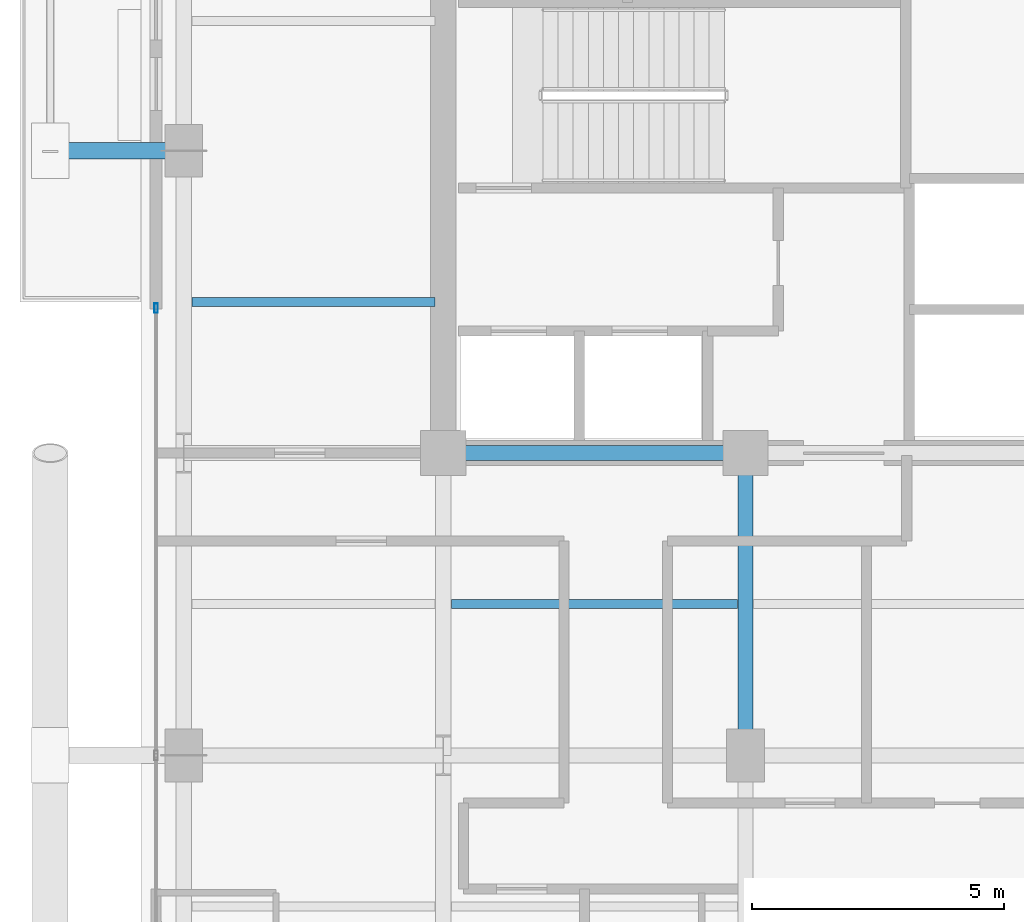
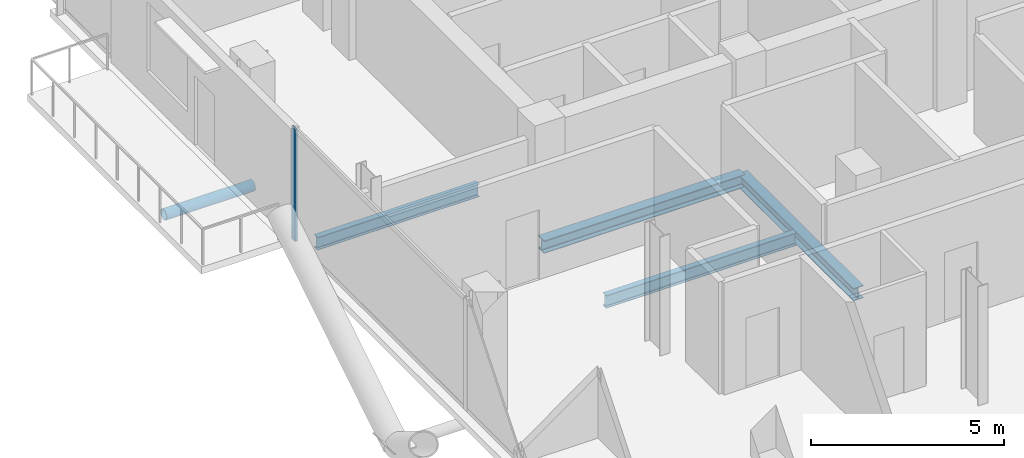
# One storey, part 7 of 28: 4 beams, 2 members, 1 element without a shape of its own.
"""IFC4 building model written with IfcOpenShell, lengths in metres."""

from ifc_helpers import new_model, si_unit, direction, frame, origin, origin_2d, place, context, subcontext, project, spatial, hollow_rectangle, hollow_circle, i_section, extrude, material, layer, layer_set, material_profile, profile_set, type_object, element, aggregate, save


model = new_model("IFC4")

# Units and contexts
model_context = context("Model", 3, precision=1e-05, world=origin(), true_north=direction((0.0, 1.0)))
body_context = subcontext(model_context, "Body", "Model", "MODEL_VIEW")
ifc_project = project(units=[si_unit("LENGTHUNIT", "METRE"), si_unit("AREAUNIT", "SQUARE_METRE"), si_unit("VOLUMEUNIT", "CUBIC_METRE"), si_unit("PLANEANGLEUNIT", "RADIAN"), si_unit("MASSUNIT", "GRAM", prefix="KILO"), si_unit("THERMODYNAMICTEMPERATUREUNIT", "KELVIN"), si_unit("POWERUNIT", "WATT")], contexts=[model_context])

# Site, building, storey
site_placement = place(None, origin())
site = spatial("IfcSite", under=ifc_project, at=site_placement, CompositionType="ELEMENT")
building_placement = place(site_placement, origin())
building = spatial("IfcBuilding", under=site, at=building_placement, Name="Svarakhadi Broadcast Tower", CompositionType="ELEMENT")
storey_placement = place(building_placement, frame((0.0, 0.0, 169.199951171875)))
storey = spatial("IfcBuildingStorey", under=building, at=storey_placement, Name="L41", CompositionType="ELEMENT", Elevation=169.199951171875)

# Beams
ifc_material_1 = material(Name="Steel S355J2 (IS 2062 E350C)", Category="steel")
ifc_material_profile_1 = material_profile(ifc_material_1, i_section(OverallWidth=0.179931640625, OverallDepth=0.39990234375, WebThickness=0.008544921875, FlangeThickness=0.013427734375, FilletRadius=0.02099609375, at=origin_2d()), Name="NPB 400x180x66")
ifc_profile_set_1 = profile_set([ifc_material_profile_1], Name="Steel S355J2 (IS 2062 E350C)")
beam_type_1 = type_object("IfcBeamType", Name="Beam_NPB400", PredefinedType="BEAM", material=ifc_profile_set_1)
beam_1_placement = place(storey_placement, frame((1.010009765625, 21.0, -0.409912109375), z_axis=(1.0, 0.0, 0.0), x_axis=(0.0, 1.0, 0.0)))
element("IfcBeam", 1, at=beam_1_placement, inside=storey, type_object=beam_type_1, Name="L41 Secondary Composite Beam SB003", PredefinedType="BEAM", context=body_context, shape_type="SweptSolid", body=[
    extrude(i_section(OverallWidth=0.179931640625, OverallDepth=0.39990234375, WebThickness=0.008544921875, FlangeThickness=0.013427734375, FilletRadius=0.02099609375, at=origin_2d()), origin(), (0.0, 0.0, 1.0), 4.830078125),
])
beam_2_placement = place(storey_placement, frame((6.159912109375, 15.0, -0.409912109375), z_axis=(1.0, 0.0, 0.0), x_axis=(0.0, 1.0, 0.0)))
element("IfcBeam", 2, at=beam_2_placement, inside=storey, type_object=beam_type_1, Name="L41 Secondary Composite Beam SB008", PredefinedType="BEAM", context=body_context, shape_type="SweptSolid", body=[
    extrude(i_section(OverallWidth=0.179931640625, OverallDepth=0.39990234375, WebThickness=0.008544921875, FlangeThickness=0.013427734375, FilletRadius=0.02099609375, at=origin_2d()), origin(), (0.0, 0.0, 1.0), 5.68017578125),
])

# Curtain wall, member
ifc_material_2 = material(Name="Anodised Bronze Aluminium AA 6063-T6", Category="aluminium")
ifc_layer = layer(ifc_material_2, 0.18994140625)
ifc_layer_set = layer_set([ifc_layer], Name="Anodised Bronze Aluminium AA 6063-T6")
curtain_wall_type = type_object("IfcCurtainWallType", Name="CW_Sys_04", PredefinedType="NOTDEFINED", material=ifc_layer_set)
curtain_wall_placement = place(storey_placement, origin())
curtain_wall = element("IfcCurtainWall", 3, at=curtain_wall_placement, inside=storey, type_object=curtain_wall_type, Name="L41 West Curtain Wall 02", PredefinedType="NOTDEFINED")
ifc_material_profile_2 = material_profile(ifc_material_2, hollow_rectangle(XDim=0.070068359375, YDim=0.18994140625, WallThickness=0.005615234375, at=origin_2d()), Name="ALU MULLION 190x70x6")
ifc_profile_set_2 = profile_set([ifc_material_profile_2], Name="Anodised Bronze Aluminium AA 6063-T6")
member_type_1 = type_object("IfcMemberType", Name="CW_Sys_04_Mul", PredefinedType="MULLION", material=ifc_profile_set_2)
member_1_placement = place(storey_placement, frame((0.300048828125, 20.875, 0.0), z_axis=(0.0, 0.0, 1.0), x_axis=(-1.0, 0.0, 0.0)))
member_1 = element("IfcMember", 4, at=member_1_placement, type_object=member_type_1, Name="CW-04 mullion 3", PredefinedType="MULLION", context=body_context, shape_type="SweptSolid", body=[
    extrude(hollow_rectangle(XDim=0.070068359375, YDim=0.18994140625, WallThickness=0.005615234375, at=origin_2d()), origin(), (0.0, 0.0, 1.0), 3.5400390625),
])
aggregate(curtain_wall, [member_1])

# Member
ifc_material_3 = material(Name="Steel S460ML (IS 2062 E450BR)", Category="steel")
ifc_material_profile_3 = material_profile(ifc_material_3, hollow_circle(Radius=0.161865234375, WallThickness=0.01611328125, at=origin_2d()), Name="CHS 323.9x16")
ifc_profile_set_3 = profile_set([ifc_material_profile_3], Name="Steel S460ML (IS 2062 E450BR)")
member_type_2 = type_object("IfcMemberType", Name="Exo_Radial_Strut_Z2", PredefinedType="STRUT", material=ifc_profile_set_3)
member_2_placement = place(storey_placement, frame((-1.800048828125, 24.0, -0.371826171875), z_axis=(1.0, 0.0, 0.0), x_axis=(0.0, 1.0, 0.0)))
element("IfcMember", 5, at=member_2_placement, inside=storey, type_object=member_type_2, Name="L41 Exoskeleton Radial Tie Strut W05", PredefinedType="STRUT", context=body_context, shape_type="SweptSolid", body=[
    extrude(hollow_circle(Radius=0.161865234375, WallThickness=0.01611328125, at=origin_2d()), origin(), (0.0, 0.0, 1.0), 2.650146484375),
])

# Beams
ifc_material_profile_4 = material_profile(ifc_material_1, i_section(OverallWidth=0.300048828125, OverallDepth=0.39990234375, WebThickness=0.013427734375, FlangeThickness=0.02392578125, FilletRadius=0.027099609375, at=origin_2d()), Name="WPB 400x300x155")
ifc_profile_set_4 = profile_set([ifc_material_profile_4], Name="Steel S355J2 (IS 2062 E350C)")
beam_type_2 = type_object("IfcBeamType", Name="Girder_WPB400", PredefinedType="USERDEFINED", material=ifc_profile_set_4)
for number, where, z_axis, x_axis, name in (
    (6, (6.0, 18.0, -0.409912109375), (1.0, 0.0, 0.0), (0.0, 1.0, 0.0), "L41 Primary E-W Girder G022"),
    (7, (12.0, 12.0, -0.409912109375), (0.0, 1.0, 0.0), (-1.0, 0.0, 0.0), "L41 Primary N-S Girder G047"),
):
    element("IfcBeam", number, at=place(storey_placement, frame(where, z_axis=z_axis, x_axis=x_axis)), inside=storey, type_object=beam_type_2, Name=name, ObjectType="GIRDER", PredefinedType="USERDEFINED", context=body_context, shape_type="SweptSolid", body=[
        extrude(i_section(OverallWidth=0.300048828125, OverallDepth=0.39990234375, WebThickness=0.013427734375, FlangeThickness=0.02392578125, FilletRadius=0.027099609375, at=origin_2d()), origin(), (0.0, 0.0, 1.0), 6.0),
    ])

save(model, "model.ifc")
